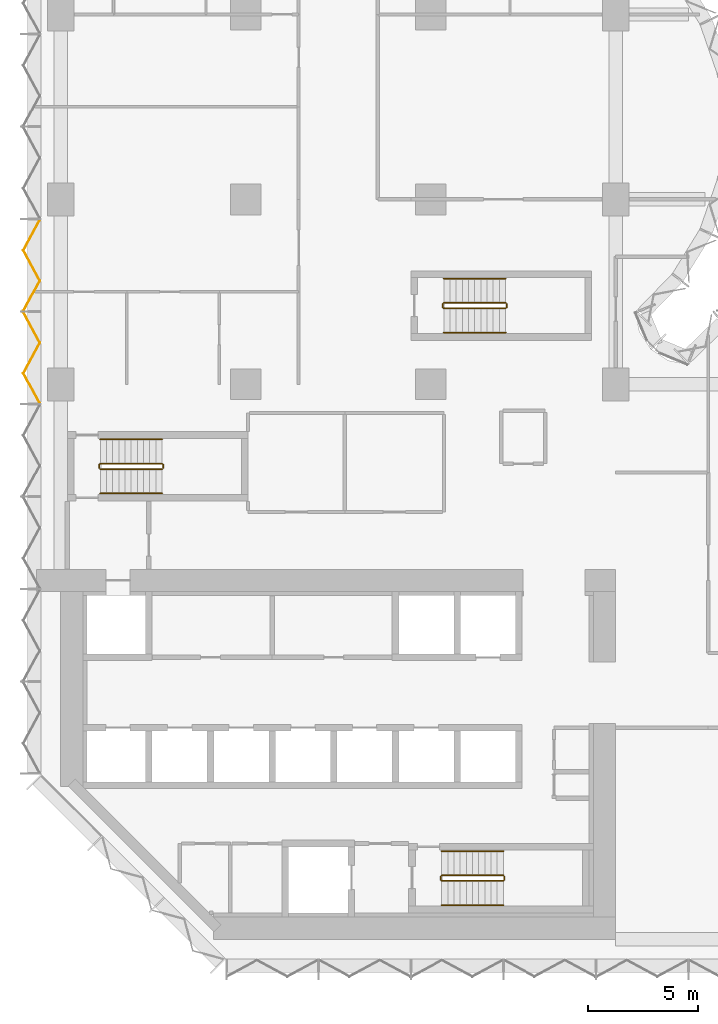
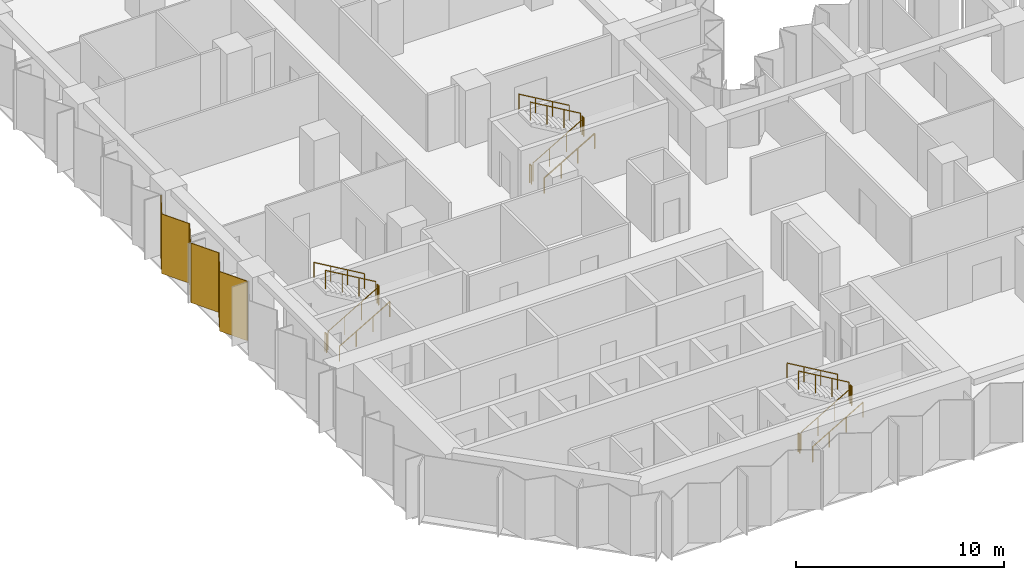
# One storey, part 13 of 15: 18 railings, 2 coverings, 1 element without a shape of its own.
"""IFC4 building model written with IfcOpenShell, lengths in metres."""

from ifc_helpers import new_model, si_unit, direction, frame, origin, origin_2d, place, context, subcontext, project, spatial, polyline, circle, outline, extrude, material, layer, layer_set, type_object, element, aggregate, save


model = new_model("IFC4")

# Units and contexts
model_context = context("Model", 3, precision=1e-05, world=origin(), true_north=direction((0.0, 1.0)))
body_context = subcontext(model_context, "Body", "Model", "MODEL_VIEW")
ifc_project = project(units=[si_unit("LENGTHUNIT", "METRE"), si_unit("AREAUNIT", "SQUARE_METRE"), si_unit("VOLUMEUNIT", "CUBIC_METRE"), si_unit("PLANEANGLEUNIT", "RADIAN"), si_unit("MASSUNIT", "GRAM", prefix="KILO")], contexts=[model_context])

# Site, building, storey
site_placement = place(None, origin())
site = spatial("IfcSite", under=ifc_project, at=site_placement, CompositionType="ELEMENT")
building_placement = place(site_placement, origin())
building = spatial("IfcBuilding", under=site, at=building_placement, Name="Brevane Broadcast Tower", CompositionType="ELEMENT")
storey_placement = place(building_placement, frame((0.0, 0.0, 43.699951171875)))
storey = spatial("IfcBuildingStorey", under=building, at=storey_placement, Name="L08", CompositionType="ELEMENT", Elevation=43.699951171875)

# Railings
ifc_material_1 = material(Name="Steel S355", Category="steel")
railing_type_1 = type_object("IfcRailingType", Name="Exit stair guard", PredefinedType="GUARDRAIL", material=ifc_material_1)
railing_1_placement = place(storey_placement, frame((1.800048828125, 21.35009765625, 0.16357421875)))
element("IfcRailing", 1, at=railing_1_placement, inside=storey, type_object=railing_type_1, Name="L08 ST-1 stair guard 1", PredefinedType="GUARDRAIL", context=body_context, shape_type="SweptSolid", body=[
    extrude(circle(Radius=0.02392578125, at=origin_2d()), frame((0.0, 0.0, 1.076171875), z_axis=(0.863360870873, 0.0, 0.504586966384), x_axis=(0.0, 1.0, 0.0)), (0.0, 0.0, 1.0), 3.2431640625),
    extrude(circle(Radius=0.02099609375, at=origin_2d()), origin(), (0.0, 0.0, 1.0), 1.052001953125),
    extrude(circle(Radius=0.02099609375, at=origin_2d()), frame((0.933349609375, 0.0, 0.54541015625)), (0.0, 0.0, 1.0), 1.052001953125),
    extrude(circle(Radius=0.02099609375, at=origin_2d()), frame((1.86669921875, 0.0, 1.091064453125)), (0.0, 0.0, 1.0), 1.052001953125),
    extrude(circle(Radius=0.02099609375, at=origin_2d()), frame((2.800048828125, 0.0, 1.636474609375)), (0.0, 0.0, 1.0), 1.052001953125),
])
railing_2_placement = place(storey_placement, frame((4.64990234375, 21.39990234375, 1.800048828125)))
element("IfcRailing", 2, at=railing_2_placement, inside=storey, type_object=railing_type_1, Name="L08 ST-1 stair guard 2", PredefinedType="GUARDRAIL", context=body_context, shape_type="SweptSolid", body=[
    extrude(circle(Radius=0.02392578125, at=origin_2d()), frame((0.0, 0.0, 1.076171875), z_axis=(0.0, 1.0, 0.0), x_axis=(-1.0, 0.0, 0.0)), (0.0, 0.0, 1.0), 0.150146484375),
    extrude(circle(Radius=0.02099609375, at=origin_2d()), origin(), (0.0, 0.0, 1.0), 1.052001953125),
    extrude(circle(Radius=0.02099609375, at=origin_2d()), frame((0.0, 0.150146484375, 0.0)), (0.0, 0.0, 1.0), 1.052001953125),
])
railing_3_placement = place(storey_placement, frame((4.60009765625, 21.60009765625, 1.963623046875)))
element("IfcRailing", 3, at=railing_3_placement, inside=storey, type_object=railing_type_1, Name="L08 ST-1 stair guard 3", PredefinedType="GUARDRAIL", context=body_context, shape_type="SweptSolid", body=[
    extrude(circle(Radius=0.02392578125, at=origin_2d()), frame((0.0, 0.0, 1.076171875), z_axis=(-0.863360870873, 0.0, 0.504586966384), x_axis=(0.0, -1.0, 0.0)), (0.0, 0.0, 1.0), 3.2431640625),
    extrude(circle(Radius=0.02099609375, at=origin_2d()), origin(), (0.0, 0.0, 1.0), 1.052001953125),
    extrude(circle(Radius=0.02099609375, at=origin_2d()), frame((-0.933349609375, 0.0, 0.54541015625)), (0.0, 0.0, 1.0), 1.052001953125),
    extrude(circle(Radius=0.02099609375, at=origin_2d()), frame((-1.86669921875, 0.0, 1.091064453125)), (0.0, 0.0, 1.0), 1.052001953125),
    extrude(circle(Radius=0.02099609375, at=origin_2d()), frame((-2.800048828125, 0.0, 1.636474609375)), (0.0, 0.0, 1.0), 1.052001953125),
])
railing_4_placement = place(storey_placement, frame((1.75, 21.39990234375, 0.0)))
element("IfcRailing", 4, at=railing_4_placement, inside=storey, type_object=railing_type_1, Name="L08 ST-1 stair guard 4", PredefinedType="GUARDRAIL", context=body_context, shape_type="SweptSolid", body=[
    extrude(circle(Radius=0.02392578125, at=origin_2d()), frame((0.0, 0.0, 1.076171875), z_axis=(0.0, 1.0, 0.0), x_axis=(-1.0, 0.0, 0.0)), (0.0, 0.0, 1.0), 0.150146484375),
    extrude(circle(Radius=0.02099609375, at=origin_2d()), origin(), (0.0, 0.0, 1.0), 1.052001953125),
    extrude(circle(Radius=0.02099609375, at=origin_2d()), frame((0.0, 0.150146484375, 0.0)), (0.0, 0.0, 1.0), 1.052001953125),
])
railing_5_placement = place(storey_placement, frame((17.300048828125, 2.64990234375, 0.16357421875)))
element("IfcRailing", 5, at=railing_5_placement, inside=storey, type_object=railing_type_1, Name="L08 ST-2 stair guard 1", PredefinedType="GUARDRAIL", context=body_context, shape_type="SweptSolid", body=[
    extrude(circle(Radius=0.02392578125, at=origin_2d()), frame((0.0, 0.0, 1.076171875), z_axis=(0.863360870873, 0.0, 0.504586966384), x_axis=(0.0, 1.0, 0.0)), (0.0, 0.0, 1.0), 3.2431640625),
    extrude(circle(Radius=0.02099609375, at=origin_2d()), origin(), (0.0, 0.0, 1.0), 1.052001953125),
    extrude(circle(Radius=0.02099609375, at=origin_2d()), frame((0.933349609375, 0.0, 0.54541015625)), (0.0, 0.0, 1.0), 1.052001953125),
    extrude(circle(Radius=0.02099609375, at=origin_2d()), frame((1.86669921875, 0.0, 1.091064453125)), (0.0, 0.0, 1.0), 1.052001953125),
    extrude(circle(Radius=0.02099609375, at=origin_2d()), frame((2.800048828125, 0.0, 1.636474609375)), (0.0, 0.0, 1.0), 1.052001953125),
])
railing_6_placement = place(storey_placement, frame((20.14990234375, 2.699951171875, 1.800048828125)))
element("IfcRailing", 6, at=railing_6_placement, inside=storey, type_object=railing_type_1, Name="L08 ST-2 stair guard 2", PredefinedType="GUARDRAIL", context=body_context, shape_type="SweptSolid", body=[
    extrude(circle(Radius=0.02392578125, at=origin_2d()), frame((0.0, 0.0, 1.076171875), z_axis=(0.0, 1.0, 0.0), x_axis=(-1.0, 0.0, 0.0)), (0.0, 0.0, 1.0), 0.150146484375),
    extrude(circle(Radius=0.02099609375, at=origin_2d()), origin(), (0.0, 0.0, 1.0), 1.052001953125),
    extrude(circle(Radius=0.02099609375, at=origin_2d()), frame((0.0, 0.150146484375, 0.0)), (0.0, 0.0, 1.0), 1.052001953125),
])
railing_7_placement = place(storey_placement, frame((20.10009765625, 2.89990234375, 1.963623046875)))
element("IfcRailing", 7, at=railing_7_placement, inside=storey, type_object=railing_type_1, Name="L08 ST-2 stair guard 3", PredefinedType="GUARDRAIL", context=body_context, shape_type="SweptSolid", body=[
    extrude(circle(Radius=0.02392578125, at=origin_2d()), frame((0.0, 0.0, 1.076171875), z_axis=(-0.863360870873, 0.0, 0.504586966384), x_axis=(0.0, -1.0, 0.0)), (0.0, 0.0, 1.0), 3.2431640625),
    extrude(circle(Radius=0.02099609375, at=origin_2d()), origin(), (0.0, 0.0, 1.0), 1.052001953125),
    extrude(circle(Radius=0.02099609375, at=origin_2d()), frame((-0.933349609375, 0.0, 0.54541015625)), (0.0, 0.0, 1.0), 1.052001953125),
    extrude(circle(Radius=0.02099609375, at=origin_2d()), frame((-1.86669921875, 0.0, 1.091064453125)), (0.0, 0.0, 1.0), 1.052001953125),
    extrude(circle(Radius=0.02099609375, at=origin_2d()), frame((-2.800048828125, 0.0, 1.636474609375)), (0.0, 0.0, 1.0), 1.052001953125),
])
railing_8_placement = place(storey_placement, frame((17.25, 2.699951171875, 0.0)))
element("IfcRailing", 8, at=railing_8_placement, inside=storey, type_object=railing_type_1, Name="L08 ST-2 stair guard 4", PredefinedType="GUARDRAIL", context=body_context, shape_type="SweptSolid", body=[
    extrude(circle(Radius=0.02392578125, at=origin_2d()), frame((0.0, 0.0, 1.076171875), z_axis=(0.0, 1.0, 0.0), x_axis=(-1.0, 0.0, 0.0)), (0.0, 0.0, 1.0), 0.150146484375),
    extrude(circle(Radius=0.02099609375, at=origin_2d()), origin(), (0.0, 0.0, 1.0), 1.052001953125),
    extrude(circle(Radius=0.02099609375, at=origin_2d()), frame((0.0, 0.150146484375, 0.0)), (0.0, 0.0, 1.0), 1.052001953125),
])
railing_9_placement = place(storey_placement, frame((17.39990234375, 28.64990234375, 0.16357421875)))
element("IfcRailing", 9, at=railing_9_placement, inside=storey, type_object=railing_type_1, Name="L08 ST-3 stair guard 1", PredefinedType="GUARDRAIL", context=body_context, shape_type="SweptSolid", body=[
    extrude(circle(Radius=0.02392578125, at=origin_2d()), frame((0.0, 0.0, 1.076171875), z_axis=(0.863360870873, 0.0, 0.504586966384), x_axis=(0.0, 1.0, 0.0)), (0.0, 0.0, 1.0), 3.2431640625),
    extrude(circle(Radius=0.02099609375, at=origin_2d()), origin(), (0.0, 0.0, 1.0), 1.052001953125),
    extrude(circle(Radius=0.02099609375, at=origin_2d()), frame((0.933349609375, 0.0, 0.54541015625)), (0.0, 0.0, 1.0), 1.052001953125),
    extrude(circle(Radius=0.02099609375, at=origin_2d()), frame((1.86669921875, 0.0, 1.091064453125)), (0.0, 0.0, 1.0), 1.052001953125),
    extrude(circle(Radius=0.02099609375, at=origin_2d()), frame((2.800048828125, 0.0, 1.636474609375)), (0.0, 0.0, 1.0), 1.052001953125),
])
railing_10_placement = place(storey_placement, frame((20.25, 28.699951171875, 1.800048828125)))
element("IfcRailing", 10, at=railing_10_placement, inside=storey, type_object=railing_type_1, Name="L08 ST-3 stair guard 2", PredefinedType="GUARDRAIL", context=body_context, shape_type="SweptSolid", body=[
    extrude(circle(Radius=0.02392578125, at=origin_2d()), frame((0.0, 0.0, 1.076171875), z_axis=(0.0, 1.0, 0.0), x_axis=(-1.0, 0.0, 0.0)), (0.0, 0.0, 1.0), 0.150146484375),
    extrude(circle(Radius=0.02099609375, at=origin_2d()), origin(), (0.0, 0.0, 1.0), 1.052001953125),
    extrude(circle(Radius=0.02099609375, at=origin_2d()), frame((0.0, 0.150146484375, 0.0)), (0.0, 0.0, 1.0), 1.052001953125),
])
railing_11_placement = place(storey_placement, frame((20.199951171875, 28.89990234375, 1.963623046875)))
element("IfcRailing", 11, at=railing_11_placement, inside=storey, type_object=railing_type_1, Name="L08 ST-3 stair guard 3", PredefinedType="GUARDRAIL", context=body_context, shape_type="SweptSolid", body=[
    extrude(circle(Radius=0.02392578125, at=origin_2d()), frame((0.0, 0.0, 1.076171875), z_axis=(-0.863360870873, 0.0, 0.504586966384), x_axis=(0.0, -1.0, 0.0)), (0.0, 0.0, 1.0), 3.2431640625),
    extrude(circle(Radius=0.02099609375, at=origin_2d()), origin(), (0.0, 0.0, 1.0), 1.052001953125),
    extrude(circle(Radius=0.02099609375, at=origin_2d()), frame((-0.933349609375, 0.0, 0.54541015625)), (0.0, 0.0, 1.0), 1.052001953125),
    extrude(circle(Radius=0.02099609375, at=origin_2d()), frame((-1.86669921875, 0.0, 1.091064453125)), (0.0, 0.0, 1.0), 1.052001953125),
    extrude(circle(Radius=0.02099609375, at=origin_2d()), frame((-2.800048828125, 0.0, 1.636474609375)), (0.0, 0.0, 1.0), 1.052001953125),
])
railing_12_placement = place(storey_placement, frame((17.35009765625, 28.699951171875, 0.0)))
element("IfcRailing", 12, at=railing_12_placement, inside=storey, type_object=railing_type_1, Name="L08 ST-3 stair guard 4", PredefinedType="GUARDRAIL", context=body_context, shape_type="SweptSolid", body=[
    extrude(circle(Radius=0.02392578125, at=origin_2d()), frame((0.0, 0.0, 1.076171875), z_axis=(0.0, 1.0, 0.0), x_axis=(-1.0, 0.0, 0.0)), (0.0, 0.0, 1.0), 0.150146484375),
    extrude(circle(Radius=0.02099609375, at=origin_2d()), origin(), (0.0, 0.0, 1.0), 1.052001953125),
    extrude(circle(Radius=0.02099609375, at=origin_2d()), frame((0.0, 0.150146484375, 0.0)), (0.0, 0.0, 1.0), 1.052001953125),
])
railing_type_2 = type_object("IfcRailingType", Name="Exit stair handrail", PredefinedType="HANDRAIL", material=ifc_material_1)
railing_13_placement = place(storey_placement, frame((1.800048828125, 20.25, 0.16357421875)))
element("IfcRailing", 13, at=railing_13_placement, inside=storey, type_object=railing_type_2, Name="L08 ST-1 stair handrail 1", PredefinedType="HANDRAIL", context=body_context, shape_type="SweptSolid", body=[
    extrude(circle(Radius=0.02392578125, at=origin_2d()), frame((0.0, 0.0, 0.8759765625), z_axis=(0.863360870873, 0.0, 0.504586966384), x_axis=(0.0, 1.0, 0.0)), (0.0, 0.0, 1.0), 3.2431640625),
    extrude(circle(Radius=0.02099609375, at=origin_2d()), origin(), (0.0, 0.0, 1.0), 0.851806640625),
    extrude(circle(Radius=0.02099609375, at=origin_2d()), frame((0.933349609375, 0.0, 0.54541015625)), (0.0, 0.0, 1.0), 0.851806640625),
    extrude(circle(Radius=0.02099609375, at=origin_2d()), frame((1.86669921875, 0.0, 1.091064453125)), (0.0, 0.0, 1.0), 0.851806640625),
    extrude(circle(Radius=0.02099609375, at=origin_2d()), frame((2.800048828125, 0.0, 1.636474609375)), (0.0, 0.0, 1.0), 0.851806640625),
])
railing_14_placement = place(storey_placement, frame((4.60009765625, 22.699951171875, 1.963623046875)))
element("IfcRailing", 14, at=railing_14_placement, inside=storey, type_object=railing_type_2, Name="L08 ST-1 stair handrail 2", PredefinedType="HANDRAIL", context=body_context, shape_type="SweptSolid", body=[
    extrude(circle(Radius=0.02392578125, at=origin_2d()), frame((0.0, 0.0, 0.8759765625), z_axis=(-0.863360870873, 0.0, 0.504586966384), x_axis=(0.0, -1.0, 0.0)), (0.0, 0.0, 1.0), 3.2431640625),
    extrude(circle(Radius=0.02099609375, at=origin_2d()), origin(), (0.0, 0.0, 1.0), 0.851806640625),
    extrude(circle(Radius=0.02099609375, at=origin_2d()), frame((-0.933349609375, 0.0, 0.54541015625)), (0.0, 0.0, 1.0), 0.851806640625),
    extrude(circle(Radius=0.02099609375, at=origin_2d()), frame((-1.86669921875, 0.0, 1.091064453125)), (0.0, 0.0, 1.0), 0.851806640625),
    extrude(circle(Radius=0.02099609375, at=origin_2d()), frame((-2.800048828125, 0.0, 1.636474609375)), (0.0, 0.0, 1.0), 0.851806640625),
])
railing_15_placement = place(storey_placement, frame((17.300048828125, 1.550048828125, 0.16357421875)))
element("IfcRailing", 15, at=railing_15_placement, inside=storey, type_object=railing_type_2, Name="L08 ST-2 stair handrail 1", PredefinedType="HANDRAIL", context=body_context, shape_type="SweptSolid", body=[
    extrude(circle(Radius=0.02392578125, at=origin_2d()), frame((0.0, 0.0, 0.8759765625), z_axis=(0.863360870873, 0.0, 0.504586966384), x_axis=(0.0, 1.0, 0.0)), (0.0, 0.0, 1.0), 3.2431640625),
    extrude(circle(Radius=0.02099609375, at=origin_2d()), origin(), (0.0, 0.0, 1.0), 0.851806640625),
    extrude(circle(Radius=0.02099609375, at=origin_2d()), frame((0.933349609375, 0.0, 0.54541015625)), (0.0, 0.0, 1.0), 0.851806640625),
    extrude(circle(Radius=0.02099609375, at=origin_2d()), frame((1.86669921875, 0.0, 1.091064453125)), (0.0, 0.0, 1.0), 0.851806640625),
    extrude(circle(Radius=0.02099609375, at=origin_2d()), frame((2.800048828125, 0.0, 1.636474609375)), (0.0, 0.0, 1.0), 0.851806640625),
])
railing_16_placement = place(storey_placement, frame((20.10009765625, 4.0, 1.963623046875)))
element("IfcRailing", 16, at=railing_16_placement, inside=storey, type_object=railing_type_2, Name="L08 ST-2 stair handrail 2", PredefinedType="HANDRAIL", context=body_context, shape_type="SweptSolid", body=[
    extrude(circle(Radius=0.02392578125, at=origin_2d()), frame((0.0, 0.0, 0.8759765625), z_axis=(-0.863360870873, 0.0, 0.504586966384), x_axis=(0.0, -1.0, 0.0)), (0.0, 0.0, 1.0), 3.2431640625),
    extrude(circle(Radius=0.02099609375, at=origin_2d()), origin(), (0.0, 0.0, 1.0), 0.851806640625),
    extrude(circle(Radius=0.02099609375, at=origin_2d()), frame((-0.933349609375, 0.0, 0.54541015625)), (0.0, 0.0, 1.0), 0.851806640625),
    extrude(circle(Radius=0.02099609375, at=origin_2d()), frame((-1.86669921875, 0.0, 1.091064453125)), (0.0, 0.0, 1.0), 0.851806640625),
    extrude(circle(Radius=0.02099609375, at=origin_2d()), frame((-2.800048828125, 0.0, 1.636474609375)), (0.0, 0.0, 1.0), 0.851806640625),
])
railing_17_placement = place(storey_placement, frame((17.39990234375, 27.550048828125, 0.16357421875)))
element("IfcRailing", 17, at=railing_17_placement, inside=storey, type_object=railing_type_2, Name="L08 ST-3 stair handrail 1", PredefinedType="HANDRAIL", context=body_context, shape_type="SweptSolid", body=[
    extrude(circle(Radius=0.02392578125, at=origin_2d()), frame((0.0, 0.0, 0.8759765625), z_axis=(0.863360870873, 0.0, 0.504586966384), x_axis=(0.0, 1.0, 0.0)), (0.0, 0.0, 1.0), 3.2431640625),
    extrude(circle(Radius=0.02099609375, at=origin_2d()), origin(), (0.0, 0.0, 1.0), 0.851806640625),
    extrude(circle(Radius=0.02099609375, at=origin_2d()), frame((0.933349609375, 0.0, 0.54541015625)), (0.0, 0.0, 1.0), 0.851806640625),
    extrude(circle(Radius=0.02099609375, at=origin_2d()), frame((1.86669921875, 0.0, 1.091064453125)), (0.0, 0.0, 1.0), 0.851806640625),
    extrude(circle(Radius=0.02099609375, at=origin_2d()), frame((2.800048828125, 0.0, 1.636474609375)), (0.0, 0.0, 1.0), 0.851806640625),
])
railing_18_placement = place(storey_placement, frame((20.199951171875, 30.0, 1.963623046875)))
element("IfcRailing", 18, at=railing_18_placement, inside=storey, type_object=railing_type_2, Name="L08 ST-3 stair handrail 2", PredefinedType="HANDRAIL", context=body_context, shape_type="SweptSolid", body=[
    extrude(circle(Radius=0.02392578125, at=origin_2d()), frame((0.0, 0.0, 0.8759765625), z_axis=(-0.863360870873, 0.0, 0.504586966384), x_axis=(0.0, -1.0, 0.0)), (0.0, 0.0, 1.0), 3.2431640625),
    extrude(circle(Radius=0.02099609375, at=origin_2d()), origin(), (0.0, 0.0, 1.0), 0.851806640625),
    extrude(circle(Radius=0.02099609375, at=origin_2d()), frame((-0.933349609375, 0.0, 0.54541015625)), (0.0, 0.0, 1.0), 0.851806640625),
    extrude(circle(Radius=0.02099609375, at=origin_2d()), frame((-1.86669921875, 0.0, 1.091064453125)), (0.0, 0.0, 1.0), 0.851806640625),
    extrude(circle(Radius=0.02099609375, at=origin_2d()), frame((-2.800048828125, 0.0, 1.636474609375)), (0.0, 0.0, 1.0), 0.851806640625),
])

# Curtain wall, coverings
ifc_material_2 = material(Name="Aluminium 6063-T6 bronze anodised", Category="aluminium")
curtain_wall_type = type_object("IfcCurtainWallType", Name="CW-1 curtain wall", PredefinedType="NOTDEFINED", material=ifc_material_2)
curtain_wall_placement = place(storey_placement, origin())
curtain_wall = element("IfcCurtainWall", 19, at=curtain_wall_placement, inside=storey, type_object=curtain_wall_type, Name="CW-1 typical tilted unit L08 west face", PredefinedType="NOTDEFINED")
ifc_material_3 = material(Name="Back-painted bronze glass shadow-box", Category="glass")
ifc_layer = layer(ifc_material_3, 0.0400390625)
ifc_layer_set = layer_set([ifc_layer], Name="Shadow-box panel 40")
covering_type = type_object("IfcCoveringType", Name="Shadow-box panel 40", PredefinedType="CLADDING", material=ifc_layer_set)
covering_1_placement = place(storey_placement, frame((0.0, 0.0, -0.14990234375)))
covering_1 = element("IfcCovering", 20, at=covering_1_placement, type_object=covering_type, Name="Shadow-box panel", PredefinedType="CLADDING", context=body_context, shape_type="SweptSolid", body=[
    extrude(outline(polyline([(-0.92724609375, 32.6650390625), (-0.97265625, 32.6650390625), (-1.717041015625, 31.288330078125), (-0.97265625, 29.91162109375), (-1.717041015625, 28.534912109375), (-1.671630859375, 28.534912109375), (-0.92724609375, 29.91162109375), (-1.671630859375, 31.288330078125), (-0.92724609375, 32.6650390625)])), origin(), (0.0, 0.0, 1.0), 3.5),
])
covering_2_placement = place(storey_placement, frame((0.0, 0.0, -0.14990234375)))
covering_2 = element("IfcCovering", 21, at=covering_2_placement, type_object=covering_type, Name="Shadow-box panel", PredefinedType="CLADDING", context=body_context, shape_type="SweptSolid", body=[
    extrude(outline(polyline([(-1.671630859375, 28.465087890625), (-1.717041015625, 28.465087890625), (-0.97265625, 27.08837890625), (-1.717041015625, 25.711669921875), (-0.97265625, 24.3349609375), (-0.92724609375, 24.3349609375), (-1.671630859375, 25.711669921875), (-0.92724609375, 27.08837890625), (-1.671630859375, 28.465087890625)])), origin(), (0.0, 0.0, 1.0), 3.5),
])
aggregate(curtain_wall, [covering_1, covering_2])

save(model, "model.ifc")
